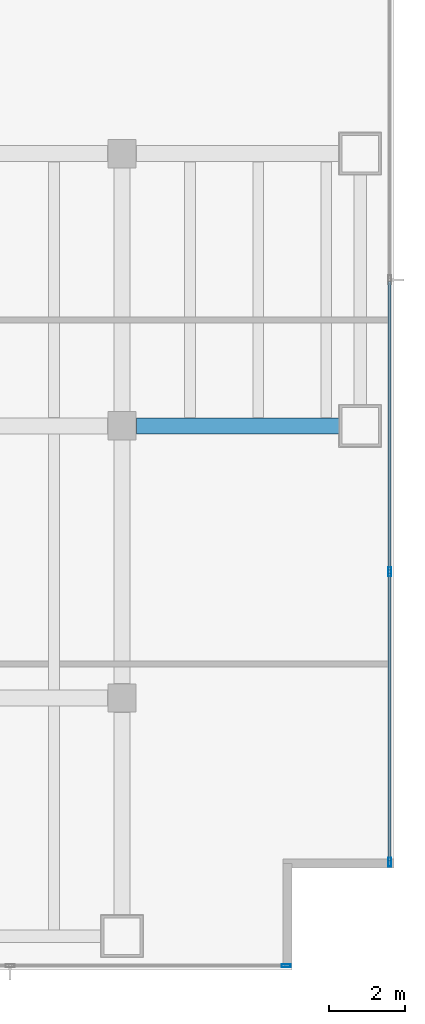
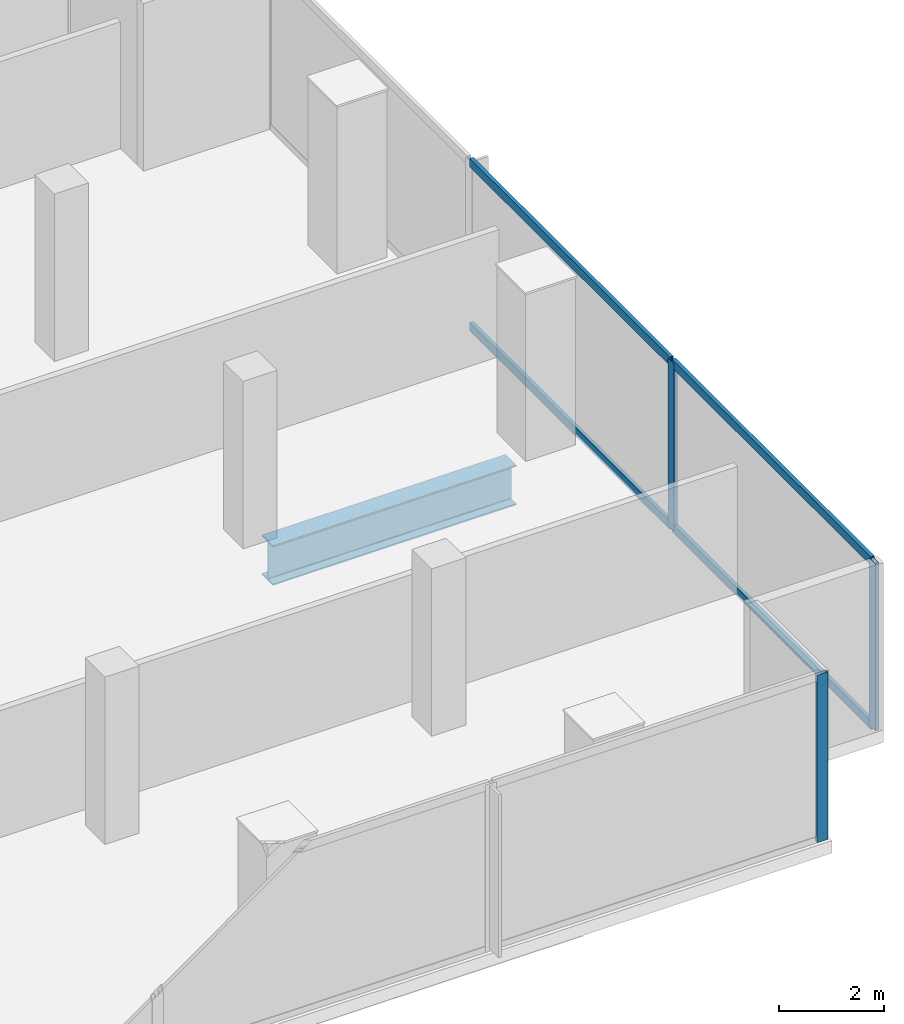
# One storey, part 18 of 32: 7 members, 1 beam, 2 elements without a shape of their own.
"""IFC4 building model written with IfcOpenShell, lengths in metres."""

import ifcopenshell
import ifcopenshell.guid

model = None  # the IFC model being written
_history = None  # IfcOwnerHistory: only IFC2X3 demands one
_inside = {}  # id of a spatial element -> (the spatial element, [elements in it])
_under = {}  # id of a project, library or spatial element -> (it, [spatial elements below it])
_declared = {}  # id of a project -> (the project, [libraries it declares])
_typed = {}  # id of a type object -> (the type object, [elements of that type])
_made_of = {}  # id of a material, layer set ... -> (it, [elements and type objects made of it])


def new_model(schema):
    """Start an empty IFC model of exactly this schema.

    Asked for "IFC4X3", IfcOpenShell would pick the latest addendum, in which some entities
    have other attributes; the version numbers below select the first issue.
    IFC2X3 requires an IfcOwnerHistory on every rooted entity: one is made here for all.
    """
    global model, _history
    if schema == "IFC4X3":
        model = ifcopenshell.file(schema_version=(4, 3, 0, 0))
    else:
        model = ifcopenshell.file(schema=schema)
    _inside.clear()
    _under.clear()
    _declared.clear()
    _typed.clear()
    _made_of.clear()
    _history = None
    if model.schema == "IFC2X3":
        org = make("IfcOrganization", Name="unknown")
        user = make(
            "IfcPersonAndOrganization",
            ThePerson=make("IfcPerson", FamilyName="unknown"),
            TheOrganization=org,
        )
        app = make(
            "IfcApplication",
            ApplicationDeveloper=org,
            Version="unknown",
            ApplicationFullName="unknown",
            ApplicationIdentifier="unknown",
        )
        _history = make(
            "IfcOwnerHistory",
            OwningUser=user,
            OwningApplication=app,
            ChangeAction="ADDED",
            CreationDate=0,
        )
    return model


def make(cls, **values):
    """One entity of the class cls with the attributes given. An attribute that is None is left unset."""
    return model.create_entity(
        cls, **{name: value for name, value in values.items() if value is not None}
    )


def rooted(cls, **values):
    """An entity with a GlobalId (a new one), such as an element, a storey or a relation."""
    return make(cls, GlobalId=ifcopenshell.guid.new(), OwnerHistory=_history, **values)


def si_unit(unit_type, name, prefix=None):
    """IfcSIUnit, for example si_unit("LENGTHUNIT", "METRE", prefix="MILLI")."""
    return make("IfcSIUnit", UnitType=unit_type, Prefix=prefix, Name=name)


def assignment(units):
    """IfcUnitAssignment: the units of a project."""
    return None if units is None else make("IfcUnitAssignment", Units=units)


def point(xyz):
    """IfcCartesianPoint."""
    return None if xyz is None else make("IfcCartesianPoint", Coordinates=xyz)


def direction(xyz):
    """IfcDirection."""
    return None if xyz is None else make("IfcDirection", DirectionRatios=xyz)


def frame(location, z_axis=None, x_axis=None):
    """IfcAxis2Placement3D, a coordinate frame: its origin and axes. An axis left out is left unset."""
    return make(
        "IfcAxis2Placement3D",
        Location=point(location),
        Axis=direction(z_axis),
        RefDirection=direction(x_axis),
    )


def frame_2d(location, x_axis=None):
    """IfcAxis2Placement2D, a coordinate frame in the plane: its origin and x axis."""
    return make(
        "IfcAxis2Placement2D", Location=point(location), RefDirection=direction(x_axis)
    )


def origin():
    """The frame at (0, 0, 0) with its axes left unset."""
    return frame((0.0, 0.0, 0.0))


def origin_2d():
    """The frame at (0, 0) in the plane with its x axis left unset."""
    return frame_2d((0.0, 0.0))


def place(relative_to, where):
    """IfcLocalPlacement: puts the frame where relative to a parent placement (None: the world)."""
    return make(
        "IfcLocalPlacement", PlacementRelTo=relative_to, RelativePlacement=where
    )


def context(
    kind, dimensions, precision=None, world=None, true_north=None, identifier=None
):
    """IfcGeometricRepresentationContext, for example the 3D "Model" context."""
    return make(
        "IfcGeometricRepresentationContext",
        ContextIdentifier=identifier,
        ContextType=kind,
        CoordinateSpaceDimension=dimensions,
        Precision=precision,
        WorldCoordinateSystem=world,
        TrueNorth=true_north,
    )


def subcontext(parent, identifier, kind, view, scale=None):
    """IfcGeometricRepresentationSubContext, for example "Body" below "Model"."""
    return make(
        "IfcGeometricRepresentationSubContext",
        ContextIdentifier=identifier,
        ContextType=kind,
        ParentContext=parent,
        TargetScale=scale,
        TargetView=view,
    )


def project(units=None, contexts=None):
    """IfcProject with its units and contexts."""
    return rooted(
        "IfcProject",
        Name="project",
        RepresentationContexts=contexts,
        UnitsInContext=assignment(units),
    )


def spatial(cls, under=None, at=None, **own):
    """A site, building, storey or space (cls), placed at a placement, below another one or the project."""
    s = rooted(cls, ObjectPlacement=at, **own)
    if under is not None:
        _under.setdefault(under.id(), (under, []))[1].append(s)
    return s


def profile(cls, at=None, kind="AREA", **sizes):
    """A parametric profile (cls). Its sizes go by their IFC names, for example OverallWidth=200.0."""
    return make(cls, ProfileType=kind, Position=at, **sizes)


def hollow_rectangle(**sizes):
    """IfcRectangleHollowProfileDef."""
    return profile("IfcRectangleHollowProfileDef", **sizes)


def i_section(**sizes):
    """IfcIShapeProfileDef."""
    return profile("IfcIShapeProfileDef", **sizes)


def extrude(swept, where, along, depth):
    """IfcExtrudedAreaSolid: the profile swept, set in the frame where, extruded along a direction by depth."""
    return make(
        "IfcExtrudedAreaSolid",
        SweptArea=swept,
        Position=where,
        ExtrudedDirection=direction(along),
        Depth=depth,
    )


def shape(context_of_items, identifier, shape_type, items):
    """IfcShapeRepresentation: the items that make up one representation, for example the "Body"."""
    return make(
        "IfcShapeRepresentation",
        ContextOfItems=context_of_items,
        RepresentationIdentifier=identifier,
        RepresentationType=shape_type,
        Items=items,
    )


def material(Name=None, Category=None):
    """IfcMaterial."""
    return make("IfcMaterial", Name=Name, Category=Category)


def material_profile(
    of_material, cross_section, Name=None, Category=None, Priority=None
):
    """IfcMaterialProfile: a cross section and its material."""
    return make(
        "IfcMaterialProfile",
        Name=Name,
        Material=of_material,
        Profile=cross_section,
        Priority=Priority,
        Category=Category,
    )


def profile_set(profiles, Name=None, composite=None):
    """IfcMaterialProfileSet."""
    return make(
        "IfcMaterialProfileSet",
        Name=Name,
        MaterialProfiles=profiles,
        CompositeProfile=composite,
    )


def made_of(thing, what):
    """Note that an element or type object is made of a material, layer set ...; save() writes the relation."""
    if what is not None:
        _made_of.setdefault(what.id(), (what, []))[1].append(thing)
    return thing


def type_object(cls, material=None, **own):
    """A type object (cls), such as IfcWallType, which elements share."""
    return made_of(rooted(cls, **own), material)


def element(
    cls,
    number,
    at=None,
    inside=None,
    cuts=None,
    type_object=None,
    material=None,
    context=None,
    identifier="Body",
    shape_type=None,
    held_by="IfcProductDefinitionShape",
    body=None,
    shapes=None,
    **own,
):
    """One element of the class cls, such as IfcWall. Its Tag is "e" and its number.

    at: its placement. inside: the storey or other place that contains it. cuts: it is an
    opening in that element (IfcRelVoidsElement). A single representation is given by context,
    identifier, shape_type and body (its items); several are given by shapes. held_by: the class
    of the entity that holds the representations. save() writes the other relations.
    """
    e = rooted(cls, Tag="e%d" % number, ObjectPlacement=at, **own)
    if body is not None:
        shapes = [shape(context, identifier, shape_type, body)]
    if shapes is not None:
        e.Representation = make(held_by, Representations=shapes)
    if inside is not None:
        _inside.setdefault(inside.id(), (inside, []))[1].append(e)
    if cuts is not None:
        rooted(
            "IfcRelVoidsElement", RelatingBuildingElement=cuts, RelatedOpeningElement=e
        )
    if type_object is not None:
        _typed.setdefault(type_object.id(), (type_object, []))[1].append(e)
    return made_of(e, material)


def aggregate(whole, parts):
    """IfcRelAggregates: a whole, such as a stair, and the parts it consists of."""
    return rooted("IfcRelAggregates", RelatingObject=whole, RelatedObjects=parts)


def save(model, path):
    """Write the relations noted so far, then the file.

    IfcRelAggregates (storeys below a building ...), IfcRelContainedInSpatialStructure (elements
    in a storey), IfcRelDefinesByType, IfcRelAssociatesMaterial and IfcRelDeclares: one each for
    every whole, place, type object, material and project.
    """
    for whole, parts in _under.values():
        aggregate(whole, parts)
    for where, things in _inside.values():
        rooted(
            "IfcRelContainedInSpatialStructure",
            RelatedElements=things,
            RelatingStructure=where,
        )
    for kind, things in _typed.values():
        rooted("IfcRelDefinesByType", RelatedObjects=things, RelatingType=kind)
    for what, things in _made_of.values():
        rooted("IfcRelAssociatesMaterial", RelatedObjects=things, RelatingMaterial=what)
    for by, libraries in _declared.values():
        rooted("IfcRelDeclares", RelatingContext=by, RelatedDefinitions=libraries)
    model.write(path)


model = new_model("IFC4")

# Units and contexts
model_context = context("Model", 3, precision=1e-05, world=origin(), true_north=direction((0.0, 1.0)))
body_context = subcontext(model_context, "Body", "Model", "MODEL_VIEW")
ifc_project = project(units=[si_unit("LENGTHUNIT", "METRE"), si_unit("AREAUNIT", "SQUARE_METRE"), si_unit("VOLUMEUNIT", "CUBIC_METRE"), si_unit("PLANEANGLEUNIT", "RADIAN"), si_unit("MASSUNIT", "GRAM", prefix="KILO")], contexts=[model_context])

# Site, building, storey
site_placement = place(None, origin())
site = spatial("IfcSite", under=ifc_project, at=site_placement, CompositionType="ELEMENT")
building_placement = place(site_placement, origin())
building = spatial("IfcBuilding", under=site, at=building_placement, Name="Cobrela Telecom Tower", CompositionType="ELEMENT")
storey_placement = place(building_placement, frame((0.0, 0.0, 22.050048828125)))
storey = spatial("IfcBuildingStorey", under=building, at=storey_placement, Name="L05", CompositionType="ELEMENT", Elevation=22.050048828125)

# Beam
ifc_material_1 = material(Name="Steel ASTM A992 Grade 50", Category="steel")
ifc_material_profile_1 = material_profile(ifc_material_1, i_section(OverallWidth=0.4189453125, OverallDepth=0.927001953125, WebThickness=0.019287109375, FlangeThickness=0.031982421875, FilletRadius=0.02392578125, at=origin_2d()), Name="W36X231")
ifc_profile_set_1 = profile_set([ifc_material_profile_1], Name="Steel ASTM A992 Grade 50")
beam_type = type_object("IfcBeamType", Name="BM-GIRD-02", PredefinedType="USERDEFINED", material=ifc_profile_set_1)
beam_placement = place(storey_placement, frame((79.580078125, 14.39990234375, -0.753662109375), z_axis=(1.0, 0.0, 0.0), x_axis=(0.0, 1.0, 0.0)))
element("IfcBeam", 1, at=beam_placement, inside=storey, type_object=beam_type, Name="L05 Primary Girder X28", ObjectType="GIRDER", PredefinedType="USERDEFINED", context=body_context, shape_type="SweptSolid", body=[
    extrude(i_section(OverallWidth=0.4189453125, OverallDepth=0.927001953125, WebThickness=0.019287109375, FlangeThickness=0.031982421875, FilletRadius=0.02392578125, at=origin_2d()), origin(), (0.0, 0.0, 1.0), 5.364990234375),
])

# Curtain wall, members
ifc_material_2 = material(Name="Anodized Bronze Aluminium 6063-T6", Category="aluminium")
curtain_wall_type = type_object("IfcCurtainWallType", Name="CW-SYS-CONC", PredefinedType="USERDEFINED", material=ifc_material_2)
curtain_wall_1_placement = place(storey_placement, origin())
curtain_wall_1 = element("IfcCurtainWall", 2, at=curtain_wall_1_placement, inside=storey, type_object=curtain_wall_type, Name="L05 Unitised Bronze Curtain Wall 14", ObjectType="UNITISED CURTAIN WALL", PredefinedType="USERDEFINED")
ifc_material_profile_2 = material_profile(ifc_material_2, hollow_rectangle(XDim=0.080078125, YDim=0.239990234375, WallThickness=0.0048828125, at=origin_2d()), Name="ALU 80x240x5")
ifc_profile_set_2 = profile_set([ifc_material_profile_2], Name="Anodized Bronze Aluminium 6063-T6")
member_type_1 = type_object("IfcMemberType", Name="CW-SYS-CONC-MUL", PredefinedType="MULLION", material=ifc_profile_set_2)
member_1_placement = place(storey_placement, frame((86.280029296875, 10.5400390625, 0.0), z_axis=(0.0, 0.0, 1.0), x_axis=(1.0, 0.0, 0.0)))
member_1 = element("IfcMember", 3, at=member_1_placement, type_object=member_type_1, Name="CW-CONC mullion 3", PredefinedType="MULLION", context=body_context, shape_type="SweptSolid", body=[
    extrude(hollow_rectangle(XDim=0.080078125, YDim=0.239990234375, WallThickness=0.0048828125, at=origin_2d()), origin(), (0.0, 0.0, 1.0), 3.89990234375),
])
member_2_placement = place(storey_placement, frame((86.280029296875, 2.860107421875, 0.0), z_axis=(0.0, 0.0, 1.0), x_axis=(1.0, 0.0, 0.0)))
member_2 = element("IfcMember", 4, at=member_2_placement, type_object=member_type_1, Name="CW-CONC mullion 4", PredefinedType="MULLION", context=body_context, shape_type="SweptSolid", body=[
    extrude(hollow_rectangle(XDim=0.080078125, YDim=0.239990234375, WallThickness=0.0048828125, at=origin_2d()), origin(), (0.0, 0.0, 1.0), 3.89990234375),
])

# Curtain wall, member
curtain_wall_2_placement = place(storey_placement, origin())
curtain_wall_2 = element("IfcCurtainWall", 5, at=curtain_wall_2_placement, inside=storey, type_object=curtain_wall_type, Name="L05 Unitised Bronze Curtain Wall 17", ObjectType="UNITISED CURTAIN WALL", PredefinedType="USERDEFINED")
member_3_placement = place(storey_placement, frame((83.5400390625, 0.1201171875, 0.0), z_axis=(0.0, 0.0, 1.0), x_axis=(0.0, -1.0, 0.0)))
member_3 = element("IfcMember", 6, at=member_3_placement, type_object=member_type_1, Name="CW-CONC mullion 1", PredefinedType="MULLION", context=body_context, shape_type="SweptSolid", body=[
    extrude(hollow_rectangle(XDim=0.080078125, YDim=0.239990234375, WallThickness=0.0048828125, at=origin_2d()), origin(), (0.0, 0.0, 1.0), 3.89990234375),
])
aggregate(curtain_wall_2, [member_3])

# Member
ifc_material_profile_3 = material_profile(ifc_material_2, hollow_rectangle(XDim=0.080078125, YDim=0.199951171875, WallThickness=0.00390625, at=origin_2d()), Name="ALU 80x200x4")
ifc_profile_set_3 = profile_set([ifc_material_profile_3], Name="Anodized Bronze Aluminium 6063-T6")
member_type_2 = type_object("IfcMemberType", Name="CW-SYS-CONC-TRN", PredefinedType="USERDEFINED", material=ifc_profile_set_3)
member_4_placement = place(storey_placement, frame((86.280029296875, 18.219970703125, 0.0400390625), z_axis=(0.0, -1.0, 0.0), x_axis=(1.0, 0.0, 0.0)))
member_4 = element("IfcMember", 7, at=member_4_placement, type_object=member_type_2, Name="CW-CONC transom 2.1", ObjectType="TRANSOM", PredefinedType="USERDEFINED", context=body_context, shape_type="SweptSolid", body=[
    extrude(hollow_rectangle(XDim=0.080078125, YDim=0.199951171875, WallThickness=0.00390625, at=origin_2d()), origin(), (0.0, 0.0, 1.0), 7.639892578125),
])

member_5_placement = place(storey_placement, frame((86.280029296875, 18.219970703125, 3.85986328125), z_axis=(0.0, -1.0, 0.0), x_axis=(1.0, 0.0, 0.0)))
member_5 = element("IfcMember", 8, at=member_5_placement, type_object=member_type_2, Name="CW-CONC transom 2.2", ObjectType="TRANSOM", PredefinedType="USERDEFINED", context=body_context, shape_type="SweptSolid", body=[
    extrude(hollow_rectangle(XDim=0.080078125, YDim=0.199951171875, WallThickness=0.00390625, at=origin_2d()), origin(), (0.0, 0.0, 1.0), 7.639892578125),
])

member_6_placement = place(storey_placement, frame((86.280029296875, 10.5, 0.0400390625), z_axis=(0.0, -1.0, 0.0), x_axis=(1.0, 0.0, 0.0)))
member_6 = element("IfcMember", 9, at=member_6_placement, type_object=member_type_2, Name="CW-CONC transom 3.1", ObjectType="TRANSOM", PredefinedType="USERDEFINED", context=body_context, shape_type="SweptSolid", body=[
    extrude(hollow_rectangle(XDim=0.080078125, YDim=0.199951171875, WallThickness=0.00390625, at=origin_2d()), origin(), (0.0, 0.0, 1.0), 7.60009765625),
])

member_7_placement = place(storey_placement, frame((86.280029296875, 10.5, 3.85986328125), z_axis=(0.0, -1.0, 0.0), x_axis=(1.0, 0.0, 0.0)))
member_7 = element("IfcMember", 10, at=member_7_placement, type_object=member_type_2, Name="CW-CONC transom 3.2", ObjectType="TRANSOM", PredefinedType="USERDEFINED", context=body_context, shape_type="SweptSolid", body=[
    extrude(hollow_rectangle(XDim=0.080078125, YDim=0.199951171875, WallThickness=0.00390625, at=origin_2d()), origin(), (0.0, 0.0, 1.0), 7.60009765625),
])

aggregate(curtain_wall_1, [member_1, member_2, member_4, member_5, member_6, member_7])

save(model, "model.ifc")
